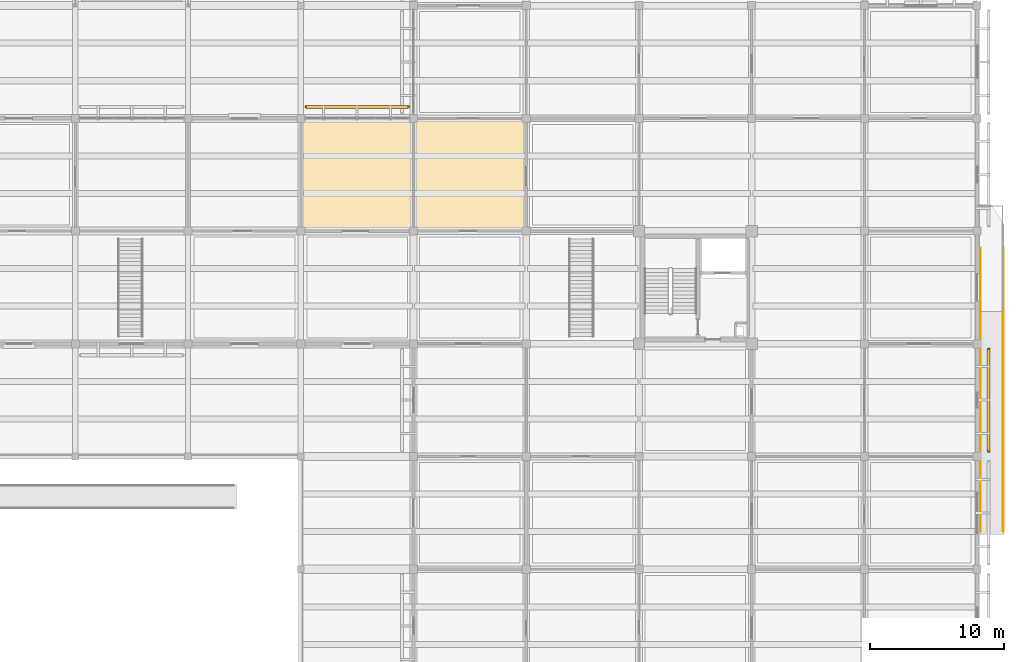
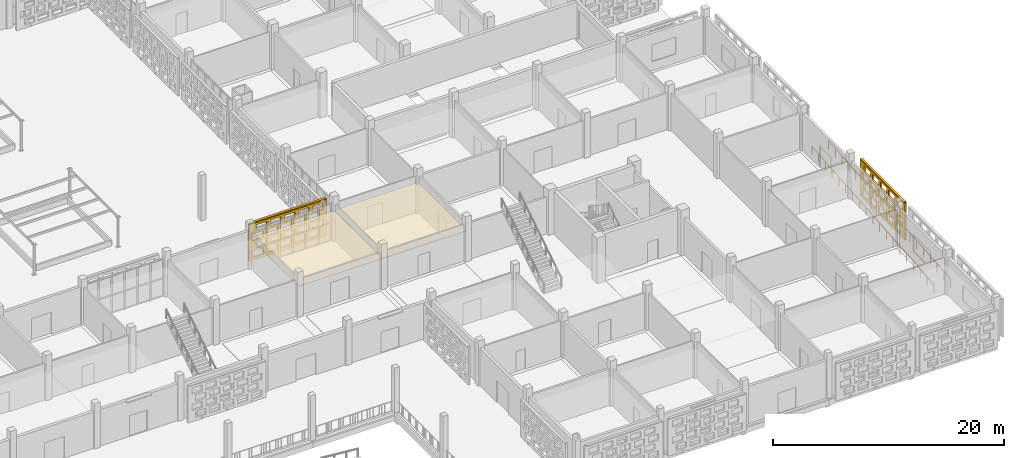
# One storey, part 115 of 129: 4 coverings, 2 railings, 2 shading devices, 40 openings.
"""IFC4 building model written with IfcOpenShell, lengths in metres."""

from ifc_helpers import new_model, si_unit, direction, frame, frame_2d, origin, origin_2d, place, context, subcontext, project, spatial, rectangle, circle, extrude, material, layer, layer_set, type_object, element, save


model = new_model("IFC4")

# Units and contexts
model_context = context("Model", 3, precision=1e-05, world=origin(), true_north=direction((0.0, 1.0)))
body_context = subcontext(model_context, "Body", "Model", "MODEL_VIEW")
ifc_project = project(units=[si_unit("LENGTHUNIT", "METRE"), si_unit("AREAUNIT", "SQUARE_METRE"), si_unit("VOLUMEUNIT", "CUBIC_METRE"), si_unit("PLANEANGLEUNIT", "RADIAN"), si_unit("MASSUNIT", "GRAM", prefix="KILO")], contexts=[model_context])

# Site, building, storey
site_placement = place(None, origin())
site = spatial("IfcSite", under=ifc_project, at=site_placement, CompositionType="ELEMENT")
building_placement = place(site_placement, origin())
building = spatial("IfcBuilding", under=site, at=building_placement, Name="Varnapada Polytechnic", CompositionType="ELEMENT")
storey_placement = place(building_placement, origin())
storey = spatial("IfcBuildingStorey", under=building, at=storey_placement, Name="L00", CompositionType="ELEMENT", Elevation=0.0)

# Railings
ifc_material_1 = material(Name="Stainless steel handrail", Category="steel")
railing_type = type_object("IfcRailingType", Name="Ramp Handrail HRL-01", PredefinedType="HANDRAIL", material=ifc_material_1)
railing_1_placement = place(storey_placement, frame((178.340087890625, 11.199951171875, -1.800048828125)))
element("IfcRailing", 1, at=railing_1_placement, inside=storey, type_object=railing_type, Name="East refectory front plinth ramp handrail L", PredefinedType="HANDRAIL", context=body_context, shape_type="SweptSolid", body=[
    extrude(circle(Radius=0.02392578125, at=origin_2d()), frame((0.0, 0.0, 0.89599609375), z_axis=(0.0, 0.996397862465, 0.084801531091), x_axis=(-1.0, 0.0, 0.0)), (0.0, 0.0, 1.0), 21.2265625),
    extrude(circle(Radius=0.02099609375, at=origin_2d()), origin(), (0.0, 0.0, 1.0), 0.871826171875),
    extrude(circle(Radius=0.02099609375, at=origin_2d()), frame((0.0, 1.175048828125, 0.10009765625)), (0.0, 0.0, 1.0), 0.871826171875),
    extrude(circle(Radius=0.02099609375, at=origin_2d()), frame((0.0, 2.35009765625, 0.199951171875)), (0.0, 0.0, 1.0), 0.871826171875),
    extrude(circle(Radius=0.02099609375, at=origin_2d()), frame((0.0, 3.52490234375, 0.300048828125)), (0.0, 0.0, 1.0), 0.871826171875),
    extrude(circle(Radius=0.02099609375, at=origin_2d()), frame((0.0, 4.699951171875, 0.39990234375)), (0.0, 0.0, 1.0), 0.871826171875),
    extrude(circle(Radius=0.02099609375, at=origin_2d()), frame((0.0, 5.875, 0.5)), (0.0, 0.0, 1.0), 0.871826171875),
    extrude(circle(Radius=0.02099609375, at=origin_2d()), frame((0.0, 7.050048828125, 0.60009765625)), (0.0, 0.0, 1.0), 0.871826171875),
    extrude(circle(Radius=0.02099609375, at=origin_2d()), frame((0.0, 8.22509765625, 0.699951171875)), (0.0, 0.0, 1.0), 0.871826171875),
    extrude(circle(Radius=0.02099609375, at=origin_2d()), frame((0.0, 9.400146484375, 0.800048828125)), (0.0, 0.0, 1.0), 0.871826171875),
    extrude(circle(Radius=0.02099609375, at=origin_2d()), frame((0.0, 10.5751953125, 0.89990234375)), (0.0, 0.0, 1.0), 0.871826171875),
    extrude(circle(Radius=0.02099609375, at=origin_2d()), frame((0.0, 11.75, 1.0)), (0.0, 0.0, 1.0), 0.871826171875),
    extrude(circle(Radius=0.02099609375, at=origin_2d()), frame((0.0, 12.925048828125, 1.10009765625)), (0.0, 0.0, 1.0), 0.871826171875),
    extrude(circle(Radius=0.02099609375, at=origin_2d()), frame((0.0, 14.10009765625, 1.199951171875)), (0.0, 0.0, 1.0), 0.871826171875),
    extrude(circle(Radius=0.02099609375, at=origin_2d()), frame((0.0, 15.275146484375, 1.300048828125)), (0.0, 0.0, 1.0), 0.871826171875),
    extrude(circle(Radius=0.02099609375, at=origin_2d()), frame((0.0, 16.4501953125, 1.400146484375)), (0.0, 0.0, 1.0), 0.871826171875),
    extrude(circle(Radius=0.02099609375, at=origin_2d()), frame((0.0, 17.625, 1.5)), (0.0, 0.0, 1.0), 0.871826171875),
    extrude(circle(Radius=0.02099609375, at=origin_2d()), frame((0.0, 18.800048828125, 1.60009765625)), (0.0, 0.0, 1.0), 0.871826171875),
    extrude(circle(Radius=0.02099609375, at=origin_2d()), frame((0.0, 19.97509765625, 1.699951171875)), (0.0, 0.0, 1.0), 0.871826171875),
    extrude(circle(Radius=0.02099609375, at=origin_2d()), frame((0.0, 21.150146484375, 1.800048828125)), (0.0, 0.0, 1.0), 0.871826171875),
])
railing_2_placement = place(storey_placement, frame((176.659912109375, 11.199951171875, -1.800048828125)))
element("IfcRailing", 2, at=railing_2_placement, inside=storey, type_object=railing_type, Name="East refectory front plinth ramp handrail R", PredefinedType="HANDRAIL", context=body_context, shape_type="SweptSolid", body=[
    extrude(circle(Radius=0.02392578125, at=origin_2d()), frame((0.0, 0.0, 0.89599609375), z_axis=(0.0, 0.996397862465, 0.084801531091), x_axis=(-1.0, 0.0, 0.0)), (0.0, 0.0, 1.0), 21.2265625),
    extrude(circle(Radius=0.02099609375, at=origin_2d()), origin(), (0.0, 0.0, 1.0), 0.871826171875),
    extrude(circle(Radius=0.02099609375, at=origin_2d()), frame((0.0, 1.175048828125, 0.10009765625)), (0.0, 0.0, 1.0), 0.871826171875),
    extrude(circle(Radius=0.02099609375, at=origin_2d()), frame((0.0, 2.35009765625, 0.199951171875)), (0.0, 0.0, 1.0), 0.871826171875),
    extrude(circle(Radius=0.02099609375, at=origin_2d()), frame((0.0, 3.52490234375, 0.300048828125)), (0.0, 0.0, 1.0), 0.871826171875),
    extrude(circle(Radius=0.02099609375, at=origin_2d()), frame((0.0, 4.699951171875, 0.39990234375)), (0.0, 0.0, 1.0), 0.871826171875),
    extrude(circle(Radius=0.02099609375, at=origin_2d()), frame((0.0, 5.875, 0.5)), (0.0, 0.0, 1.0), 0.871826171875),
    extrude(circle(Radius=0.02099609375, at=origin_2d()), frame((0.0, 7.050048828125, 0.60009765625)), (0.0, 0.0, 1.0), 0.871826171875),
    extrude(circle(Radius=0.02099609375, at=origin_2d()), frame((0.0, 8.22509765625, 0.699951171875)), (0.0, 0.0, 1.0), 0.871826171875),
    extrude(circle(Radius=0.02099609375, at=origin_2d()), frame((0.0, 9.400146484375, 0.800048828125)), (0.0, 0.0, 1.0), 0.871826171875),
    extrude(circle(Radius=0.02099609375, at=origin_2d()), frame((0.0, 10.5751953125, 0.89990234375)), (0.0, 0.0, 1.0), 0.871826171875),
    extrude(circle(Radius=0.02099609375, at=origin_2d()), frame((0.0, 11.75, 1.0)), (0.0, 0.0, 1.0), 0.871826171875),
    extrude(circle(Radius=0.02099609375, at=origin_2d()), frame((0.0, 12.925048828125, 1.10009765625)), (0.0, 0.0, 1.0), 0.871826171875),
    extrude(circle(Radius=0.02099609375, at=origin_2d()), frame((0.0, 14.10009765625, 1.199951171875)), (0.0, 0.0, 1.0), 0.871826171875),
    extrude(circle(Radius=0.02099609375, at=origin_2d()), frame((0.0, 15.275146484375, 1.300048828125)), (0.0, 0.0, 1.0), 0.871826171875),
    extrude(circle(Radius=0.02099609375, at=origin_2d()), frame((0.0, 16.4501953125, 1.400146484375)), (0.0, 0.0, 1.0), 0.871826171875),
    extrude(circle(Radius=0.02099609375, at=origin_2d()), frame((0.0, 17.625, 1.5)), (0.0, 0.0, 1.0), 0.871826171875),
    extrude(circle(Radius=0.02099609375, at=origin_2d()), frame((0.0, 18.800048828125, 1.60009765625)), (0.0, 0.0, 1.0), 0.871826171875),
    extrude(circle(Radius=0.02099609375, at=origin_2d()), frame((0.0, 19.97509765625, 1.699951171875)), (0.0, 0.0, 1.0), 0.871826171875),
    extrude(circle(Radius=0.02099609375, at=origin_2d()), frame((0.0, 21.150146484375, 1.800048828125)), (0.0, 0.0, 1.0), 0.871826171875),
])

# Coverings
ifc_material_2 = material(Name="Micro-Perforated Gypsum Acoustic Ceiling")
ifc_layer_1 = layer(ifc_material_2, 0.044921875)
ifc_layer_set_1 = layer_set([ifc_layer_1], Name="Micro-Perforated Gypsum Acoustic Ceiling")
covering_type_1 = type_object("IfcCoveringType", Name="Suspended Ceiling CLG-04", PredefinedType="CEILING", material=ifc_layer_set_1)
covering_1_placement = place(storey_placement, frame((130.199951171875, 37.800048828125, 3.027587890625), z_axis=(0.0, 0.0, 1.0), x_axis=(1.0, 0.0, 0.0)))
element("IfcCovering", 3, at=covering_1_placement, inside=storey, type_object=covering_type_1, Name="L00 suspended acoustic ceiling (16,5)", PredefinedType="CEILING", context=body_context, shape_type="SweptSolid", body=[
    extrude(rectangle(XDim=8.419921875, YDim=8.419921875, at=origin_2d()), origin(), (0.0, 0.0, 1.0), 0.044921875),
])
ifc_material_3 = material(Name="Deep Acoustic Auditorium Cloud Baffle")
ifc_layer_2 = layer(ifc_material_3, 0.06494140625)
ifc_layer_set_2 = layer_set([ifc_layer_2], Name="Deep Acoustic Auditorium Cloud Baffle")
covering_type_2 = type_object("IfcCoveringType", Name="Suspended Ceiling CLG-07", PredefinedType="CEILING", material=ifc_layer_set_2)
covering_2_placement = place(storey_placement, frame((138.60009765625, 37.800048828125, 3.017578125), z_axis=(0.0, 0.0, 1.0), x_axis=(1.0, 0.0, 0.0)))
element("IfcCovering", 4, at=covering_2_placement, inside=storey, type_object=covering_type_2, Name="L00 suspended acoustic ceiling (17,5)", PredefinedType="CEILING", context=body_context, shape_type="SweptSolid", body=[
    extrude(rectangle(XDim=8.419921875, YDim=8.419921875, at=origin_2d()), origin(), (0.0, 0.0, 1.0), 0.06494140625),
])

# Covering, openings
ifc_material_4 = material(Name="Earth-toned architectural terracotta screen block", Category="masonry")
ifc_layer_3 = layer(ifc_material_4, 0.1201171875)
ifc_layer_set_3 = layer_set([ifc_layer_3], Name="Earth-toned architectural terracotta screen block")
covering_type_3 = type_object("IfcCoveringType", Name="Terracotta Screen Cladding CLD-01", PredefinedType="CLADDING", material=ifc_layer_set_3)
covering_3_placement = place(storey_placement, frame((126.300048828125, 42.85009765625, 0.0), z_axis=(0.0, 0.0, 1.0), x_axis=(1.0, 0.0, 0.0)))
covering_3 = element("IfcCovering", 5, at=covering_3_placement, inside=storey, type_object=covering_type_3, Name="L00 perforated terracotta block screen (77)", PredefinedType="CLADDING", context=body_context, shape_type="SweptSolid", body=[
    extrude(rectangle(XDim=7.800048828125, YDim=0.179931640625, at=frame_2d((3.89990234375, 0.0))), origin(), (0.0, 0.0, 1.0), 3.919921875),
])
opening_1_placement = place(covering_3_placement, frame((0.39990234375, 0.0, 0.313720703125)))
element("IfcOpeningElement", 6, at=opening_1_placement, cuts=covering_3, Name="Screen perforation TBS-L00-076.1", PredefinedType="OPENING", context=body_context, shape_type="SweptSolid", body=[
    extrude(rectangle(XDim=1.0400390625, YDim=0.679931640625, at=frame_2d((0.52001953125, 0.33984375))), frame((0.0, 0.099853515625, 0.0), z_axis=(0.0, -1.0, 0.0), x_axis=(1.0, 0.0, 0.0)), (0.0, 0.0, 1.0), 0.199951171875),
])
opening_2_placement = place(covering_3_placement, frame((1.800048828125, 0.0, 0.313720703125)))
element("IfcOpeningElement", 7, at=opening_2_placement, cuts=covering_3, Name="Screen perforation TBS-L00-076.2", PredefinedType="OPENING", context=body_context, shape_type="SweptSolid", body=[
    extrude(rectangle(XDim=1.0400390625, YDim=0.679931640625, at=frame_2d((0.52001953125, 0.33984375))), frame((0.0, 0.099853515625, 0.0), z_axis=(0.0, -1.0, 0.0), x_axis=(1.0, 0.0, 0.0)), (0.0, 0.0, 1.0), 0.199951171875),
])
opening_3_placement = place(covering_3_placement, frame((3.199951171875, 0.0, 0.313720703125)))
element("IfcOpeningElement", 8, at=opening_3_placement, cuts=covering_3, Name="Screen perforation TBS-L00-076.3", PredefinedType="OPENING", context=body_context, shape_type="SweptSolid", body=[
    extrude(rectangle(XDim=1.0400390625, YDim=0.679931640625, at=frame_2d((0.52001953125, 0.33984375))), frame((0.0, 0.099853515625, 0.0), z_axis=(0.0, -1.0, 0.0), x_axis=(1.0, 0.0, 0.0)), (0.0, 0.0, 1.0), 0.199951171875),
])
opening_4_placement = place(covering_3_placement, frame((4.60009765625, 0.0, 0.313720703125)))
element("IfcOpeningElement", 9, at=opening_4_placement, cuts=covering_3, Name="Screen perforation TBS-L00-076.4", PredefinedType="OPENING", context=body_context, shape_type="SweptSolid", body=[
    extrude(rectangle(XDim=1.0400390625, YDim=0.679931640625, at=frame_2d((0.52001953125, 0.33984375))), frame((0.0, 0.099853515625, 0.0), z_axis=(0.0, -1.0, 0.0), x_axis=(1.0, 0.0, 0.0)), (0.0, 0.0, 1.0), 0.199951171875),
])
opening_5_placement = place(covering_3_placement, frame((6.0, 0.0, 0.313720703125)))
element("IfcOpeningElement", 10, at=opening_5_placement, cuts=covering_3, Name="Screen perforation TBS-L00-076.5", PredefinedType="OPENING", context=body_context, shape_type="SweptSolid", body=[
    extrude(rectangle(XDim=1.0400390625, YDim=0.679931640625, at=frame_2d((0.52001953125, 0.33984375))), frame((0.0, 0.099853515625, 0.0), z_axis=(0.0, -1.0, 0.0), x_axis=(1.0, 0.0, 0.0)), (0.0, 0.0, 1.0), 0.199951171875),
])
opening_6_placement = place(covering_3_placement, frame((0.760009765625, 0.0, 1.195556640625)))
element("IfcOpeningElement", 11, at=opening_6_placement, cuts=covering_3, Name="Screen perforation TBS-L00-076.6", PredefinedType="OPENING", context=body_context, shape_type="SweptSolid", body=[
    extrude(rectangle(XDim=1.0400390625, YDim=0.679931640625, at=frame_2d((0.52001953125, 0.33984375))), frame((0.0, 0.099853515625, 0.0), z_axis=(0.0, -1.0, 0.0), x_axis=(1.0, 0.0, 0.0)), (0.0, 0.0, 1.0), 0.199951171875),
])
opening_7_placement = place(covering_3_placement, frame((2.159912109375, 0.0, 1.195556640625)))
element("IfcOpeningElement", 12, at=opening_7_placement, cuts=covering_3, Name="Screen perforation TBS-L00-076.7", PredefinedType="OPENING", context=body_context, shape_type="SweptSolid", body=[
    extrude(rectangle(XDim=1.0400390625, YDim=0.679931640625, at=frame_2d((0.52001953125, 0.33984375))), frame((0.0, 0.099853515625, 0.0), z_axis=(0.0, -1.0, 0.0), x_axis=(1.0, 0.0, 0.0)), (0.0, 0.0, 1.0), 0.199951171875),
])
opening_8_placement = place(covering_3_placement, frame((3.56005859375, 0.0, 1.195556640625)))
element("IfcOpeningElement", 13, at=opening_8_placement, cuts=covering_3, Name="Screen perforation TBS-L00-076.8", PredefinedType="OPENING", context=body_context, shape_type="SweptSolid", body=[
    extrude(rectangle(XDim=1.0400390625, YDim=0.679931640625, at=frame_2d((0.52001953125, 0.33984375))), frame((0.0, 0.099853515625, 0.0), z_axis=(0.0, -1.0, 0.0), x_axis=(1.0, 0.0, 0.0)), (0.0, 0.0, 1.0), 0.199951171875),
])
opening_9_placement = place(covering_3_placement, frame((4.9599609375, 0.0, 1.195556640625)))
element("IfcOpeningElement", 14, at=opening_9_placement, cuts=covering_3, Name="Screen perforation TBS-L00-076.9", PredefinedType="OPENING", context=body_context, shape_type="SweptSolid", body=[
    extrude(rectangle(XDim=1.0400390625, YDim=0.679931640625, at=frame_2d((0.52001953125, 0.33984375))), frame((0.0, 0.099853515625, 0.0), z_axis=(0.0, -1.0, 0.0), x_axis=(1.0, 0.0, 0.0)), (0.0, 0.0, 1.0), 0.199951171875),
])
opening_10_placement = place(covering_3_placement, frame((6.360107421875, 0.0, 1.195556640625)))
element("IfcOpeningElement", 15, at=opening_10_placement, cuts=covering_3, Name="Screen perforation TBS-L00-076.10", PredefinedType="OPENING", context=body_context, shape_type="SweptSolid", body=[
    extrude(rectangle(XDim=1.0400390625, YDim=0.679931640625, at=frame_2d((0.52001953125, 0.33984375))), frame((0.0, 0.099853515625, 0.0), z_axis=(0.0, -1.0, 0.0), x_axis=(1.0, 0.0, 0.0)), (0.0, 0.0, 1.0), 0.199951171875),
])
opening_11_placement = place(covering_3_placement, frame((0.39990234375, 0.0, 2.07763671875)))
element("IfcOpeningElement", 16, at=opening_11_placement, cuts=covering_3, Name="Screen perforation TBS-L00-076.11", PredefinedType="OPENING", context=body_context, shape_type="SweptSolid", body=[
    extrude(rectangle(XDim=1.0400390625, YDim=0.679931640625, at=frame_2d((0.52001953125, 0.33984375))), frame((0.0, 0.099853515625, 0.0), z_axis=(0.0, -1.0, 0.0), x_axis=(1.0, 0.0, 0.0)), (0.0, 0.0, 1.0), 0.199951171875),
])
opening_12_placement = place(covering_3_placement, frame((1.800048828125, 0.0, 2.07763671875)))
element("IfcOpeningElement", 17, at=opening_12_placement, cuts=covering_3, Name="Screen perforation TBS-L00-076.12", PredefinedType="OPENING", context=body_context, shape_type="SweptSolid", body=[
    extrude(rectangle(XDim=1.0400390625, YDim=0.679931640625, at=frame_2d((0.52001953125, 0.33984375))), frame((0.0, 0.099853515625, 0.0), z_axis=(0.0, -1.0, 0.0), x_axis=(1.0, 0.0, 0.0)), (0.0, 0.0, 1.0), 0.199951171875),
])
opening_13_placement = place(covering_3_placement, frame((3.199951171875, 0.0, 2.07763671875)))
element("IfcOpeningElement", 18, at=opening_13_placement, cuts=covering_3, Name="Screen perforation TBS-L00-076.13", PredefinedType="OPENING", context=body_context, shape_type="SweptSolid", body=[
    extrude(rectangle(XDim=1.0400390625, YDim=0.679931640625, at=frame_2d((0.52001953125, 0.33984375))), frame((0.0, 0.099853515625, 0.0), z_axis=(0.0, -1.0, 0.0), x_axis=(1.0, 0.0, 0.0)), (0.0, 0.0, 1.0), 0.199951171875),
])
opening_14_placement = place(covering_3_placement, frame((4.60009765625, 0.0, 2.07763671875)))
element("IfcOpeningElement", 19, at=opening_14_placement, cuts=covering_3, Name="Screen perforation TBS-L00-076.14", PredefinedType="OPENING", context=body_context, shape_type="SweptSolid", body=[
    extrude(rectangle(XDim=1.0400390625, YDim=0.679931640625, at=frame_2d((0.52001953125, 0.33984375))), frame((0.0, 0.099853515625, 0.0), z_axis=(0.0, -1.0, 0.0), x_axis=(1.0, 0.0, 0.0)), (0.0, 0.0, 1.0), 0.199951171875),
])
opening_15_placement = place(covering_3_placement, frame((6.0, 0.0, 2.07763671875)))
element("IfcOpeningElement", 20, at=opening_15_placement, cuts=covering_3, Name="Screen perforation TBS-L00-076.15", PredefinedType="OPENING", context=body_context, shape_type="SweptSolid", body=[
    extrude(rectangle(XDim=1.0400390625, YDim=0.679931640625, at=frame_2d((0.52001953125, 0.33984375))), frame((0.0, 0.099853515625, 0.0), z_axis=(0.0, -1.0, 0.0), x_axis=(1.0, 0.0, 0.0)), (0.0, 0.0, 1.0), 0.199951171875),
])
opening_16_placement = place(covering_3_placement, frame((0.760009765625, 0.0, 2.959716796875)))
element("IfcOpeningElement", 21, at=opening_16_placement, cuts=covering_3, Name="Screen perforation TBS-L00-076.16", PredefinedType="OPENING", context=body_context, shape_type="SweptSolid", body=[
    extrude(rectangle(XDim=1.0400390625, YDim=0.679931640625, at=frame_2d((0.52001953125, 0.33984375))), frame((0.0, 0.099853515625, 0.0), z_axis=(0.0, -1.0, 0.0), x_axis=(1.0, 0.0, 0.0)), (0.0, 0.0, 1.0), 0.199951171875),
])
opening_17_placement = place(covering_3_placement, frame((2.159912109375, 0.0, 2.959716796875)))
element("IfcOpeningElement", 22, at=opening_17_placement, cuts=covering_3, Name="Screen perforation TBS-L00-076.17", PredefinedType="OPENING", context=body_context, shape_type="SweptSolid", body=[
    extrude(rectangle(XDim=1.0400390625, YDim=0.679931640625, at=frame_2d((0.52001953125, 0.33984375))), frame((0.0, 0.099853515625, 0.0), z_axis=(0.0, -1.0, 0.0), x_axis=(1.0, 0.0, 0.0)), (0.0, 0.0, 1.0), 0.199951171875),
])
opening_18_placement = place(covering_3_placement, frame((3.56005859375, 0.0, 2.959716796875)))
element("IfcOpeningElement", 23, at=opening_18_placement, cuts=covering_3, Name="Screen perforation TBS-L00-076.18", PredefinedType="OPENING", context=body_context, shape_type="SweptSolid", body=[
    extrude(rectangle(XDim=1.0400390625, YDim=0.679931640625, at=frame_2d((0.52001953125, 0.33984375))), frame((0.0, 0.099853515625, 0.0), z_axis=(0.0, -1.0, 0.0), x_axis=(1.0, 0.0, 0.0)), (0.0, 0.0, 1.0), 0.199951171875),
])
opening_19_placement = place(covering_3_placement, frame((4.9599609375, 0.0, 2.959716796875)))
element("IfcOpeningElement", 24, at=opening_19_placement, cuts=covering_3, Name="Screen perforation TBS-L00-076.19", PredefinedType="OPENING", context=body_context, shape_type="SweptSolid", body=[
    extrude(rectangle(XDim=1.0400390625, YDim=0.679931640625, at=frame_2d((0.52001953125, 0.33984375))), frame((0.0, 0.099853515625, 0.0), z_axis=(0.0, -1.0, 0.0), x_axis=(1.0, 0.0, 0.0)), (0.0, 0.0, 1.0), 0.199951171875),
])
opening_20_placement = place(covering_3_placement, frame((6.360107421875, 0.0, 2.959716796875)))
element("IfcOpeningElement", 25, at=opening_20_placement, cuts=covering_3, Name="Screen perforation TBS-L00-076.20", PredefinedType="OPENING", context=body_context, shape_type="SweptSolid", body=[
    extrude(rectangle(XDim=1.0400390625, YDim=0.679931640625, at=frame_2d((0.52001953125, 0.33984375))), frame((0.0, 0.099853515625, 0.0), z_axis=(0.0, -1.0, 0.0), x_axis=(1.0, 0.0, 0.0)), (0.0, 0.0, 1.0), 0.199951171875),
])

covering_4_placement = place(storey_placement, frame((177.25, 24.89990234375, 0.0), z_axis=(0.0, 0.0, 1.0), x_axis=(0.0, -1.0, 0.0)))
covering_4 = element("IfcCovering", 26, at=covering_4_placement, inside=storey, type_object=covering_type_3, Name="L00 perforated terracotta block screen (100)", PredefinedType="CLADDING", context=body_context, shape_type="SweptSolid", body=[
    extrude(rectangle(XDim=7.7998046875, YDim=0.179931640625, at=frame_2d((3.89990234375, 0.0))), origin(), (0.0, 0.0, 1.0), 3.919921875),
])
opening_21_placement = place(covering_4_placement, frame((0.39990234375, 0.0, 0.313720703125)))
element("IfcOpeningElement", 27, at=opening_21_placement, cuts=covering_4, Name="Screen perforation TBS-L00-099.1", PredefinedType="OPENING", context=body_context, shape_type="SweptSolid", body=[
    extrude(rectangle(XDim=1.0400390625, YDim=0.679931640625, at=frame_2d((0.52001953125, 0.33984375))), frame((0.0, 0.099853515625, 0.0), z_axis=(0.0, -1.0, 0.0), x_axis=(1.0, 0.0, 0.0)), (0.0, 0.0, 1.0), 0.199951171875),
])
opening_22_placement = place(covering_4_placement, frame((1.800048828125, 0.0, 0.313720703125)))
element("IfcOpeningElement", 28, at=opening_22_placement, cuts=covering_4, Name="Screen perforation TBS-L00-099.2", PredefinedType="OPENING", context=body_context, shape_type="SweptSolid", body=[
    extrude(rectangle(XDim=1.0400390625, YDim=0.679931640625, at=frame_2d((0.52001953125, 0.33984375))), frame((0.0, 0.099853515625, 0.0), z_axis=(0.0, -1.0, 0.0), x_axis=(1.0, 0.0, 0.0)), (0.0, 0.0, 1.0), 0.199951171875),
])
opening_23_placement = place(covering_4_placement, frame((3.199951171875, 0.0, 0.313720703125)))
element("IfcOpeningElement", 29, at=opening_23_placement, cuts=covering_4, Name="Screen perforation TBS-L00-099.3", PredefinedType="OPENING", context=body_context, shape_type="SweptSolid", body=[
    extrude(rectangle(XDim=1.0400390625, YDim=0.679931640625, at=frame_2d((0.52001953125, 0.33984375))), frame((0.0, 0.099853515625, 0.0), z_axis=(0.0, -1.0, 0.0), x_axis=(1.0, 0.0, 0.0)), (0.0, 0.0, 1.0), 0.199951171875),
])
opening_24_placement = place(covering_4_placement, frame((4.60009765625, 0.0, 0.313720703125)))
element("IfcOpeningElement", 30, at=opening_24_placement, cuts=covering_4, Name="Screen perforation TBS-L00-099.4", PredefinedType="OPENING", context=body_context, shape_type="SweptSolid", body=[
    extrude(rectangle(XDim=1.0400390625, YDim=0.679931640625, at=frame_2d((0.52001953125, 0.33984375))), frame((0.0, 0.099853515625, 0.0), z_axis=(0.0, -1.0, 0.0), x_axis=(1.0, 0.0, 0.0)), (0.0, 0.0, 1.0), 0.199951171875),
])
opening_25_placement = place(covering_4_placement, frame((6.0, 0.0, 0.313720703125)))
element("IfcOpeningElement", 31, at=opening_25_placement, cuts=covering_4, Name="Screen perforation TBS-L00-099.5", PredefinedType="OPENING", context=body_context, shape_type="SweptSolid", body=[
    extrude(rectangle(XDim=1.0400390625, YDim=0.679931640625, at=frame_2d((0.52001953125, 0.33984375))), frame((0.0, 0.099853515625, 0.0), z_axis=(0.0, -1.0, 0.0), x_axis=(1.0, 0.0, 0.0)), (0.0, 0.0, 1.0), 0.199951171875),
])
opening_26_placement = place(covering_4_placement, frame((0.760009765625, 0.0, 1.195556640625)))
element("IfcOpeningElement", 32, at=opening_26_placement, cuts=covering_4, Name="Screen perforation TBS-L00-099.6", PredefinedType="OPENING", context=body_context, shape_type="SweptSolid", body=[
    extrude(rectangle(XDim=1.0400390625, YDim=0.679931640625, at=frame_2d((0.52001953125, 0.33984375))), frame((0.0, 0.099853515625, 0.0), z_axis=(0.0, -1.0, 0.0), x_axis=(1.0, 0.0, 0.0)), (0.0, 0.0, 1.0), 0.199951171875),
])
opening_27_placement = place(covering_4_placement, frame((2.159912109375, 0.0, 1.195556640625)))
element("IfcOpeningElement", 33, at=opening_27_placement, cuts=covering_4, Name="Screen perforation TBS-L00-099.7", PredefinedType="OPENING", context=body_context, shape_type="SweptSolid", body=[
    extrude(rectangle(XDim=1.0400390625, YDim=0.679931640625, at=frame_2d((0.52001953125, 0.33984375))), frame((0.0, 0.099853515625, 0.0), z_axis=(0.0, -1.0, 0.0), x_axis=(1.0, 0.0, 0.0)), (0.0, 0.0, 1.0), 0.199951171875),
])
opening_28_placement = place(covering_4_placement, frame((3.56005859375, 0.0, 1.195556640625)))
element("IfcOpeningElement", 34, at=opening_28_placement, cuts=covering_4, Name="Screen perforation TBS-L00-099.8", PredefinedType="OPENING", context=body_context, shape_type="SweptSolid", body=[
    extrude(rectangle(XDim=1.0400390625, YDim=0.679931640625, at=frame_2d((0.52001953125, 0.33984375))), frame((0.0, 0.099853515625, 0.0), z_axis=(0.0, -1.0, 0.0), x_axis=(1.0, 0.0, 0.0)), (0.0, 0.0, 1.0), 0.199951171875),
])
opening_29_placement = place(covering_4_placement, frame((4.9599609375, 0.0, 1.195556640625)))
element("IfcOpeningElement", 35, at=opening_29_placement, cuts=covering_4, Name="Screen perforation TBS-L00-099.9", PredefinedType="OPENING", context=body_context, shape_type="SweptSolid", body=[
    extrude(rectangle(XDim=1.0400390625, YDim=0.679931640625, at=frame_2d((0.52001953125, 0.33984375))), frame((0.0, 0.099853515625, 0.0), z_axis=(0.0, -1.0, 0.0), x_axis=(1.0, 0.0, 0.0)), (0.0, 0.0, 1.0), 0.199951171875),
])
opening_30_placement = place(covering_4_placement, frame((6.360107421875, 0.0, 1.195556640625)))
element("IfcOpeningElement", 36, at=opening_30_placement, cuts=covering_4, Name="Screen perforation TBS-L00-099.10", PredefinedType="OPENING", context=body_context, shape_type="SweptSolid", body=[
    extrude(rectangle(XDim=1.0400390625, YDim=0.679931640625, at=frame_2d((0.52001953125, 0.33984375))), frame((0.0, 0.099853515625, 0.0), z_axis=(0.0, -1.0, 0.0), x_axis=(1.0, 0.0, 0.0)), (0.0, 0.0, 1.0), 0.199951171875),
])
opening_31_placement = place(covering_4_placement, frame((0.39990234375, 0.0, 2.07763671875)))
element("IfcOpeningElement", 37, at=opening_31_placement, cuts=covering_4, Name="Screen perforation TBS-L00-099.11", PredefinedType="OPENING", context=body_context, shape_type="SweptSolid", body=[
    extrude(rectangle(XDim=1.0400390625, YDim=0.679931640625, at=frame_2d((0.52001953125, 0.33984375))), frame((0.0, 0.099853515625, 0.0), z_axis=(0.0, -1.0, 0.0), x_axis=(1.0, 0.0, 0.0)), (0.0, 0.0, 1.0), 0.199951171875),
])
opening_32_placement = place(covering_4_placement, frame((1.800048828125, 0.0, 2.07763671875)))
element("IfcOpeningElement", 38, at=opening_32_placement, cuts=covering_4, Name="Screen perforation TBS-L00-099.12", PredefinedType="OPENING", context=body_context, shape_type="SweptSolid", body=[
    extrude(rectangle(XDim=1.0400390625, YDim=0.679931640625, at=frame_2d((0.52001953125, 0.33984375))), frame((0.0, 0.099853515625, 0.0), z_axis=(0.0, -1.0, 0.0), x_axis=(1.0, 0.0, 0.0)), (0.0, 0.0, 1.0), 0.199951171875),
])
opening_33_placement = place(covering_4_placement, frame((3.199951171875, 0.0, 2.07763671875)))
element("IfcOpeningElement", 39, at=opening_33_placement, cuts=covering_4, Name="Screen perforation TBS-L00-099.13", PredefinedType="OPENING", context=body_context, shape_type="SweptSolid", body=[
    extrude(rectangle(XDim=1.0400390625, YDim=0.679931640625, at=frame_2d((0.52001953125, 0.33984375))), frame((0.0, 0.099853515625, 0.0), z_axis=(0.0, -1.0, 0.0), x_axis=(1.0, 0.0, 0.0)), (0.0, 0.0, 1.0), 0.199951171875),
])
opening_34_placement = place(covering_4_placement, frame((4.60009765625, 0.0, 2.07763671875)))
element("IfcOpeningElement", 40, at=opening_34_placement, cuts=covering_4, Name="Screen perforation TBS-L00-099.14", PredefinedType="OPENING", context=body_context, shape_type="SweptSolid", body=[
    extrude(rectangle(XDim=1.0400390625, YDim=0.679931640625, at=frame_2d((0.52001953125, 0.33984375))), frame((0.0, 0.099853515625, 0.0), z_axis=(0.0, -1.0, 0.0), x_axis=(1.0, 0.0, 0.0)), (0.0, 0.0, 1.0), 0.199951171875),
])
opening_35_placement = place(covering_4_placement, frame((6.0, 0.0, 2.07763671875)))
element("IfcOpeningElement", 41, at=opening_35_placement, cuts=covering_4, Name="Screen perforation TBS-L00-099.15", PredefinedType="OPENING", context=body_context, shape_type="SweptSolid", body=[
    extrude(rectangle(XDim=1.0400390625, YDim=0.679931640625, at=frame_2d((0.52001953125, 0.33984375))), frame((0.0, 0.099853515625, 0.0), z_axis=(0.0, -1.0, 0.0), x_axis=(1.0, 0.0, 0.0)), (0.0, 0.0, 1.0), 0.199951171875),
])
opening_36_placement = place(covering_4_placement, frame((0.760009765625, 0.0, 2.959716796875)))
element("IfcOpeningElement", 42, at=opening_36_placement, cuts=covering_4, Name="Screen perforation TBS-L00-099.16", PredefinedType="OPENING", context=body_context, shape_type="SweptSolid", body=[
    extrude(rectangle(XDim=1.0400390625, YDim=0.679931640625, at=frame_2d((0.52001953125, 0.33984375))), frame((0.0, 0.099853515625, 0.0), z_axis=(0.0, -1.0, 0.0), x_axis=(1.0, 0.0, 0.0)), (0.0, 0.0, 1.0), 0.199951171875),
])
opening_37_placement = place(covering_4_placement, frame((2.159912109375, 0.0, 2.959716796875)))
element("IfcOpeningElement", 43, at=opening_37_placement, cuts=covering_4, Name="Screen perforation TBS-L00-099.17", PredefinedType="OPENING", context=body_context, shape_type="SweptSolid", body=[
    extrude(rectangle(XDim=1.0400390625, YDim=0.679931640625, at=frame_2d((0.52001953125, 0.33984375))), frame((0.0, 0.099853515625, 0.0), z_axis=(0.0, -1.0, 0.0), x_axis=(1.0, 0.0, 0.0)), (0.0, 0.0, 1.0), 0.199951171875),
])
opening_38_placement = place(covering_4_placement, frame((3.56005859375, 0.0, 2.959716796875)))
element("IfcOpeningElement", 44, at=opening_38_placement, cuts=covering_4, Name="Screen perforation TBS-L00-099.18", PredefinedType="OPENING", context=body_context, shape_type="SweptSolid", body=[
    extrude(rectangle(XDim=1.0400390625, YDim=0.679931640625, at=frame_2d((0.52001953125, 0.33984375))), frame((0.0, 0.099853515625, 0.0), z_axis=(0.0, -1.0, 0.0), x_axis=(1.0, 0.0, 0.0)), (0.0, 0.0, 1.0), 0.199951171875),
])
opening_39_placement = place(covering_4_placement, frame((4.9599609375, 0.0, 2.959716796875)))
element("IfcOpeningElement", 45, at=opening_39_placement, cuts=covering_4, Name="Screen perforation TBS-L00-099.19", PredefinedType="OPENING", context=body_context, shape_type="SweptSolid", body=[
    extrude(rectangle(XDim=1.0400390625, YDim=0.679931640625, at=frame_2d((0.52001953125, 0.33984375))), frame((0.0, 0.099853515625, 0.0), z_axis=(0.0, -1.0, 0.0), x_axis=(1.0, 0.0, 0.0)), (0.0, 0.0, 1.0), 0.199951171875),
])
opening_40_placement = place(covering_4_placement, frame((6.360107421875, 0.0, 2.959716796875)))
element("IfcOpeningElement", 46, at=opening_40_placement, cuts=covering_4, Name="Screen perforation TBS-L00-099.20", PredefinedType="OPENING", context=body_context, shape_type="SweptSolid", body=[
    extrude(rectangle(XDim=1.0400390625, YDim=0.679931640625, at=frame_2d((0.52001953125, 0.33984375))), frame((0.0, 0.099853515625, 0.0), z_axis=(0.0, -1.0, 0.0), x_axis=(1.0, 0.0, 0.0)), (0.0, 0.0, 1.0), 0.199951171875),
])

# Shading devices
ifc_layer_4 = layer(ifc_material_4, 0.179931640625)
ifc_layer_set_4 = layer_set([ifc_layer_4], Name="Earth-toned architectural terracotta screen block")
shading_device_type = type_object("IfcShadingDeviceType", Name="Terracotta Screen SCR-02", PredefinedType="USERDEFINED", material=ifc_layer_set_4)
for number, where, z_axis, x_axis, name in (
    (47, (130.199951171875, 42.85009765625, 3.909912109375), (0.0, 0.0, 1.0), (1.0, 0.0, 0.0), "L00 perforated terracotta screen hood 52"),
    (48, (177.25, 21.0, 3.909912109375), (0.0, 0.0, 1.0), (0.0, -1.0, 0.0), "L00 perforated terracotta screen hood 72"),
):
    element("IfcShadingDevice", number, at=place(storey_placement, frame(where, z_axis=z_axis, x_axis=x_axis)), inside=storey, type_object=shading_device_type, Name=name, ObjectType="SCREEN", PredefinedType="USERDEFINED", context=body_context, shape_type="SweptSolid", body=[
        extrude(rectangle(XDim=7.60009765625, YDim=0.239990234375, at=origin_2d()), origin(), (0.0, 0.0, 1.0), 0.10009765625),
    ])

save(model, "model.ifc")
